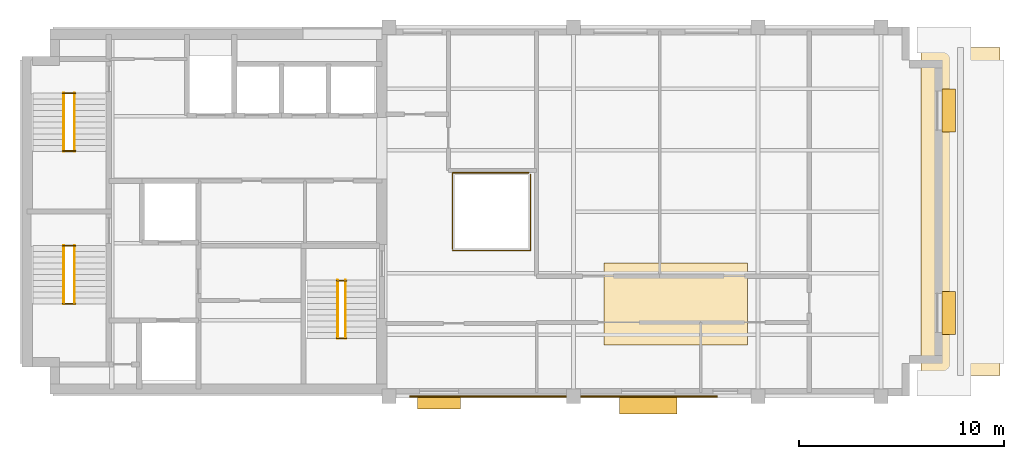
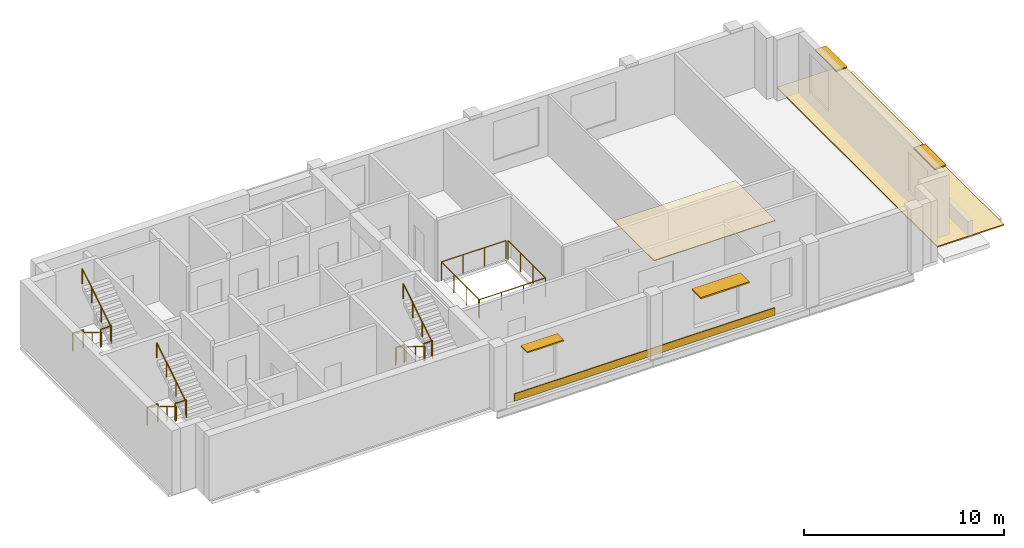
# One storey, part 5 of 5: 14 railings, 4 shading devices, 3 coverings.
"""IFC4 building model written with IfcOpenShell, lengths in metres."""

from ifc_helpers import new_model, si_unit, direction, frame, origin, origin_2d, place, context, subcontext, project, spatial, polyline, rectangle, circle, outline, extrude, material, layer, layer_set, type_object, element, save


model = new_model("IFC4")

# Units and contexts
model_context = context("Model", 3, precision=1e-05, world=origin(), true_north=direction((0.0, 1.0)))
body_context = subcontext(model_context, "Body", "Model", "MODEL_VIEW")
ifc_project = project(units=[si_unit("LENGTHUNIT", "METRE"), si_unit("AREAUNIT", "SQUARE_METRE"), si_unit("VOLUMEUNIT", "CUBIC_METRE"), si_unit("PLANEANGLEUNIT", "RADIAN"), si_unit("MASSUNIT", "GRAM", prefix="KILO")], contexts=[model_context])

# Site, building, storey
site_placement = place(None, origin())
site = spatial("IfcSite", under=ifc_project, at=site_placement, CompositionType="ELEMENT")
building_placement = place(site_placement, origin())
building = spatial("IfcBuilding", under=site, at=building_placement, Name="Mawjdan Bourse Tower", CompositionType="ELEMENT")
storey_placement = place(building_placement, frame((0.0, 0.0, 285.89990234375)))
storey = spatial("IfcBuildingStorey", under=building, at=storey_placement, Name="L70", CompositionType="ELEMENT", Elevation=285.89990234375)

# Coverings
ifc_material_1 = material(Name="Honed Qatari Limestone Coping", Category="masonry")
ifc_layer_1 = layer(ifc_material_1, 0.054931640625)
ifc_layer_set_1 = layer_set([ifc_layer_1], Name="Honed Qatari Limestone Coping")
covering_type_1 = type_object("IfcCoveringType", Name="COV-CLD-SPN", PredefinedType="CLADDING", material=ifc_layer_set_1)
covering_1_placement = place(storey_placement, origin())
element("IfcCovering", 1, at=covering_1_placement, inside=storey, type_object=covering_type_1, Name="L70 Limestone Spandrel Coping Trim", PredefinedType="CLADDING", context=body_context, shape_type="SweptSolid", body=[
    extrude(outline(polyline([(25.0, 2.949951171875), (40.0, 2.949951171875), (40.0, 3.010009765625), (25.0, 3.010009765625), (25.0, 2.949951171875)])), origin(), (0.0, 0.0, 1.0), 0.4501953125),
])
ifc_material_2 = material(Name="Perforated Mineral-Fibre Acoustic Ceiling")
ifc_layer_2 = layer(ifc_material_2, 0.044921875)
ifc_layer_set_2 = layer_set([ifc_layer_2], Name="Perforated Mineral-Fibre Acoustic Ceiling")
covering_type_2 = type_object("IfcCoveringType", Name="COV-CLG-AC", PredefinedType="CEILING", material=ifc_layer_set_2)
covering_2_placement = place(storey_placement, frame((0.0, 0.0, 3.670166015625)))
element("IfcCovering", 2, at=covering_2_placement, inside=storey, type_object=covering_type_2, Name="L70 Suspended Acoustic Ceiling", PredefinedType="CEILING", context=body_context, shape_type="SweptSolid", body=[
    extrude(outline(polyline([(34.5, 5.5), (41.5, 5.5), (41.5, 9.5), (34.5, 9.5), (34.5, 5.5)])), origin(), (0.0, 0.0, 1.0), 0.044921875),
])
ifc_material_3 = material(Name="SBS Modified Bitumen Waterproofing Membrane")
ifc_layer_3 = layer(ifc_material_3, 0.06494140625)
ifc_layer_set_3 = layer_set([ifc_layer_3], Name="SBS Modified Bitumen Waterproofing Membrane")
covering_type_3 = type_object("IfcCoveringType", Name="COV-ROOF-MEM", PredefinedType="ROOFING", material=ifc_layer_set_3)
covering_3_placement = place(storey_placement, origin())
element("IfcCovering", 3, at=covering_3_placement, inside=storey, type_object=covering_type_3, Name="L70 Roof Waterproofing Membrane 5", PredefinedType="ROOFING", context=body_context, shape_type="SweptSolid", body=[
    extrude(outline(polyline([(49.949951171875, 4.0), (53.800048828125, 4.0), (53.800048828125, 20.0), (49.949951171875, 20.0), (49.949951171875, 4.0)])), origin(), (0.0, 0.0, 1.0), 0.065185546875),
])

# Railings
ifc_material_4 = material(Name="Stainless Steel and Laminated Glass", Category="steel")
railing_type_1 = type_object("IfcRailingType", Name="RLG-BAL-1150", PredefinedType="BALUSTRADE", material=ifc_material_4)
railing_1_placement = place(storey_placement, frame((27.10009765625, 10.10009765625, 0.0)))
element("IfcRailing", 4, at=railing_1_placement, inside=storey, type_object=railing_type_1, Name="L70 Summit Atrium Lightwell Balustrade SE", PredefinedType="BALUSTRADE", context=body_context, shape_type="SweptSolid", body=[
    extrude(circle(Radius=0.02685546875, at=origin_2d()), frame((0.0, 0.0, 1.123046875), z_axis=(1.0, 0.0, 0.0), x_axis=(0.0, 1.0, 0.0)), (0.0, 0.0, 1.0), 3.7998046875),
    extrude(circle(Radius=0.02685546875, at=origin_2d()), frame((3.7998046875, 0.0, 1.123046875), z_axis=(0.0, 1.0, 0.0), x_axis=(-1.0, 0.0, 0.0)), (0.0, 0.0, 1.0), 3.719970703125),
    extrude(circle(Radius=0.02294921875, at=origin_2d()), origin(), (0.0, 0.0, 1.0), 1.095947265625),
    extrude(circle(Radius=0.02294921875, at=origin_2d()), frame((1.2666015625, 0.0, 0.0)), (0.0, 0.0, 1.0), 1.095947265625),
    extrude(circle(Radius=0.02294921875, at=origin_2d()), frame((2.533203125, 0.0, 0.0)), (0.0, 0.0, 1.0), 1.095947265625),
    extrude(circle(Radius=0.02294921875, at=origin_2d()), frame((3.7998046875, 0.0, 0.0)), (0.0, 0.0, 1.0), 1.095947265625),
    extrude(circle(Radius=0.02294921875, at=origin_2d()), frame((3.7998046875, 1.239990234375, 0.0)), (0.0, 0.0, 1.0), 1.095947265625),
    extrude(circle(Radius=0.02294921875, at=origin_2d()), frame((3.7998046875, 2.47998046875, 0.0)), (0.0, 0.0, 1.0), 1.095947265625),
    extrude(circle(Radius=0.02294921875, at=origin_2d()), frame((3.7998046875, 3.719970703125, 0.0)), (0.0, 0.0, 1.0), 1.095947265625),
])
railing_2_placement = place(storey_placement, frame((30.820068359375, 13.89990234375, 0.0)))
element("IfcRailing", 5, at=railing_2_placement, inside=storey, type_object=railing_type_1, Name="L70 Summit Atrium Lightwell Balustrade NW", PredefinedType="BALUSTRADE", context=body_context, shape_type="SweptSolid", body=[
    extrude(circle(Radius=0.02685546875, at=origin_2d()), frame((0.0, 0.0, 1.123046875), z_axis=(-1.0, 0.0, 0.0), x_axis=(0.0, -1.0, 0.0)), (0.0, 0.0, 1.0), 3.719970703125),
    extrude(circle(Radius=0.02685546875, at=origin_2d()), frame((-3.719970703125, 0.0, 1.123046875), z_axis=(0.0, -1.0, 0.0), x_axis=(1.0, 0.0, 0.0)), (0.0, 0.0, 1.0), 3.719970703125),
    extrude(circle(Radius=0.02294921875, at=origin_2d()), origin(), (0.0, 0.0, 1.0), 1.095947265625),
    extrude(circle(Radius=0.02294921875, at=origin_2d()), frame((-1.239990234375, 0.0, 0.0)), (0.0, 0.0, 1.0), 1.095947265625),
    extrude(circle(Radius=0.02294921875, at=origin_2d()), frame((-2.47998046875, 0.0, 0.0)), (0.0, 0.0, 1.0), 1.095947265625),
    extrude(circle(Radius=0.02294921875, at=origin_2d()), frame((-3.719970703125, 0.0, 0.0)), (0.0, 0.0, 1.0), 1.095947265625),
    extrude(circle(Radius=0.02294921875, at=origin_2d()), frame((-3.719970703125, -1.239990234375, 0.0)), (0.0, 0.0, 1.0), 1.095947265625),
    extrude(circle(Radius=0.02294921875, at=origin_2d()), frame((-3.719970703125, -2.47998046875, 0.0)), (0.0, 0.0, 1.0), 1.095947265625),
    extrude(circle(Radius=0.02294921875, at=origin_2d()), frame((-3.719970703125, -3.719970703125, 0.0)), (0.0, 0.0, 1.0), 1.095947265625),
])
ifc_material_5 = material(Name="Structural Steel S355", Category="steel")
railing_type_2 = type_object("IfcRailingType", Name="RLG-GRD-1100", PredefinedType="GUARDRAIL", material=ifc_material_5)
for number, where, name in (
    (6, (8.090087890625, 7.52001953125, 1.9501953125), "L70 ST1 Landing Guardrail GL-MID"),
    (7, (8.090087890625, 10.330078125, 0.0), "L70 ST1 Landing Guardrail GL-BOT"),
    (8, (8.090087890625, 14.9599609375, 1.9501953125), "L70 ST2 Landing Guardrail GL-MID"),
    (9, (8.090087890625, 17.77001953125, 0.0), "L70 ST2 Landing Guardrail GL-BOT"),
):
    element("IfcRailing", number, at=place(storey_placement, frame(where)), inside=storey, type_object=railing_type_2, Name=name, PredefinedType="GUARDRAIL", context=body_context, shape_type="SweptSolid", body=[
        extrude(circle(Radius=0.02490234375, at=origin_2d()), frame((0.0, 0.0, 1.0751953125), z_axis=(1.0, 0.0, 0.0), x_axis=(0.0, 1.0, 0.0)), (0.0, 0.0, 1.0), 0.619873046875),
        extrude(circle(Radius=0.02099609375, at=origin_2d()), origin(), (0.0, 0.0, 1.0), 1.050048828125),
        extrude(circle(Radius=0.02099609375, at=origin_2d()), frame((0.619873046875, 0.0, 0.0)), (0.0, 0.0, 1.0), 1.050048828125),
    ])
for number, where, name in (
    (10, (21.43994140625, 5.830078125, 1.9501953125), "L70 ST7 Landing Guardrail GL-MID"),
    (11, (21.43994140625, 8.639892578125, 0.0), "L70 ST7 Landing Guardrail GL-BOT"),
):
    element("IfcRailing", number, at=place(storey_placement, frame(where)), inside=storey, type_object=railing_type_2, Name=name, PredefinedType="GUARDRAIL", context=body_context, shape_type="SweptSolid", body=[
        extrude(circle(Radius=0.02490234375, at=origin_2d()), frame((0.0, 0.0, 1.0751953125), z_axis=(1.0, 0.0, 0.0), x_axis=(0.0, 1.0, 0.0)), (0.0, 0.0, 1.0), 0.489990234375),
        extrude(circle(Radius=0.02099609375, at=origin_2d()), origin(), (0.0, 0.0, 1.0), 1.050048828125),
        extrude(circle(Radius=0.02099609375, at=origin_2d()), frame((0.489990234375, 0.0, 0.0)), (0.0, 0.0, 1.0), 1.050048828125),
    ])
ifc_material_6 = material(Name="Brushed Stainless Steel", Category="steel")
railing_type_3 = type_object("IfcRailingType", Name="RLG-HND-920", PredefinedType="HANDRAIL", material=ifc_material_6)
railing_3_placement = place(storey_placement, frame((8.139892578125, 10.35009765625, 0.177490234375)))
element("IfcRailing", 12, at=railing_3_placement, inside=storey, type_object=railing_type_3, Name="L70 ST1 Flight Handrail HR1", PredefinedType="HANDRAIL", context=body_context, shape_type="SweptSolid", body=[
    extrude(circle(Radius=0.0224609375, at=origin_2d()), frame((0.0, 0.0, 0.8974609375), z_axis=(0.0, -0.849148672731, 0.528153890072), x_axis=(1.0, 0.0, 0.0)), (0.0, 0.0, 1.0), 3.3564453125),
    extrude(circle(Radius=0.01904296875, at=origin_2d()), origin(), (0.0, 0.0, 1.0), 0.875),
    extrude(circle(Radius=0.01904296875, at=origin_2d()), frame((0.0, -0.949951171875, 0.5908203125)), (0.0, 0.0, 1.0), 0.875),
    extrude(circle(Radius=0.01904296875, at=origin_2d()), frame((0.0, -1.900146484375, 1.181884765625)), (0.0, 0.0, 1.0), 0.875),
    extrude(circle(Radius=0.01904296875, at=origin_2d()), frame((0.0, -2.85009765625, 1.772705078125)), (0.0, 0.0, 1.0), 0.875),
])
railing_4_placement = place(storey_placement, frame((8.659912109375, 7.5, 2.12744140625)))
element("IfcRailing", 13, at=railing_4_placement, inside=storey, type_object=railing_type_3, Name="L70 ST1 Flight Handrail HR2", PredefinedType="HANDRAIL", context=body_context, shape_type="SweptSolid", body=[
    extrude(circle(Radius=0.0224609375, at=origin_2d()), frame((0.0, 0.0, 0.8974609375), z_axis=(0.0, 0.849148672731, 0.528153890072), x_axis=(-1.0, 0.0, 0.0)), (0.0, 0.0, 1.0), 3.3564453125),
    extrude(circle(Radius=0.01904296875, at=origin_2d()), origin(), (0.0, 0.0, 1.0), 0.875),
    extrude(circle(Radius=0.01904296875, at=origin_2d()), frame((0.0, 0.949951171875, 0.5908203125)), (0.0, 0.0, 1.0), 0.875),
    extrude(circle(Radius=0.01904296875, at=origin_2d()), frame((0.0, 1.900146484375, 1.181884765625)), (0.0, 0.0, 1.0), 0.875),
    extrude(circle(Radius=0.01904296875, at=origin_2d()), frame((0.0, 2.85009765625, 1.772705078125)), (0.0, 0.0, 1.0), 0.875),
])
railing_5_placement = place(storey_placement, frame((8.139892578125, 17.7900390625, 0.177490234375)))
element("IfcRailing", 14, at=railing_5_placement, inside=storey, type_object=railing_type_3, Name="L70 ST2 Flight Handrail HR1", PredefinedType="HANDRAIL", context=body_context, shape_type="SweptSolid", body=[
    extrude(circle(Radius=0.0224609375, at=origin_2d()), frame((0.0, 0.0, 0.8974609375), z_axis=(0.0, -0.849148672731, 0.528153890072), x_axis=(1.0, 0.0, 0.0)), (0.0, 0.0, 1.0), 3.3564453125),
    extrude(circle(Radius=0.01904296875, at=origin_2d()), origin(), (0.0, 0.0, 1.0), 0.875),
    extrude(circle(Radius=0.01904296875, at=origin_2d()), frame((0.0, -0.949951171875, 0.5908203125)), (0.0, 0.0, 1.0), 0.875),
    extrude(circle(Radius=0.01904296875, at=origin_2d()), frame((0.0, -1.900146484375, 1.181884765625)), (0.0, 0.0, 1.0), 0.875),
    extrude(circle(Radius=0.01904296875, at=origin_2d()), frame((0.0, -2.85009765625, 1.772705078125)), (0.0, 0.0, 1.0), 0.875),
])
railing_6_placement = place(storey_placement, frame((8.659912109375, 14.93994140625, 2.12744140625)))
element("IfcRailing", 15, at=railing_6_placement, inside=storey, type_object=railing_type_3, Name="L70 ST2 Flight Handrail HR2", PredefinedType="HANDRAIL", context=body_context, shape_type="SweptSolid", body=[
    extrude(circle(Radius=0.0224609375, at=origin_2d()), frame((0.0, 0.0, 0.8974609375), z_axis=(0.0, 0.849148672731, 0.528153890072), x_axis=(-1.0, 0.0, 0.0)), (0.0, 0.0, 1.0), 3.3564453125),
    extrude(circle(Radius=0.01904296875, at=origin_2d()), origin(), (0.0, 0.0, 1.0), 0.875),
    extrude(circle(Radius=0.01904296875, at=origin_2d()), frame((0.0, 0.949951171875, 0.5908203125)), (0.0, 0.0, 1.0), 0.875),
    extrude(circle(Radius=0.01904296875, at=origin_2d()), frame((0.0, 1.900146484375, 1.181884765625)), (0.0, 0.0, 1.0), 0.875),
    extrude(circle(Radius=0.01904296875, at=origin_2d()), frame((0.0, 2.85009765625, 1.772705078125)), (0.0, 0.0, 1.0), 0.875),
])
railing_7_placement = place(storey_placement, frame((21.489990234375, 8.659912109375, 0.177490234375)))
element("IfcRailing", 16, at=railing_7_placement, inside=storey, type_object=railing_type_3, Name="L70 ST7 Flight Handrail HR1", PredefinedType="HANDRAIL", context=body_context, shape_type="SweptSolid", body=[
    extrude(circle(Radius=0.0224609375, at=origin_2d()), frame((0.0, 0.0, 0.8974609375), z_axis=(0.0, -0.849128380713, 0.528186513523), x_axis=(1.0, 0.0, 0.0)), (0.0, 0.0, 1.0), 3.356201171875),
    extrude(circle(Radius=0.01904296875, at=origin_2d()), origin(), (0.0, 0.0, 1.0), 0.875),
    extrude(circle(Radius=0.01904296875, at=origin_2d()), frame((0.0, -0.949951171875, 0.5908203125)), (0.0, 0.0, 1.0), 0.875),
    extrude(circle(Radius=0.01904296875, at=origin_2d()), frame((0.0, -1.89990234375, 1.181884765625)), (0.0, 0.0, 1.0), 0.875),
    extrude(circle(Radius=0.01904296875, at=origin_2d()), frame((0.0, -2.849853515625, 1.772705078125)), (0.0, 0.0, 1.0), 0.875),
])
railing_8_placement = place(storey_placement, frame((21.8798828125, 5.81005859375, 2.12744140625)))
element("IfcRailing", 17, at=railing_8_placement, inside=storey, type_object=railing_type_3, Name="L70 ST7 Flight Handrail HR2", PredefinedType="HANDRAIL", context=body_context, shape_type="SweptSolid", body=[
    extrude(circle(Radius=0.0224609375, at=origin_2d()), frame((0.0, 0.0, 0.8974609375), z_axis=(0.0, 0.849128380713, 0.528186513523), x_axis=(-1.0, 0.0, 0.0)), (0.0, 0.0, 1.0), 3.356201171875),
    extrude(circle(Radius=0.01904296875, at=origin_2d()), origin(), (0.0, 0.0, 1.0), 0.875),
    extrude(circle(Radius=0.01904296875, at=origin_2d()), frame((0.0, 0.949951171875, 0.5908203125)), (0.0, 0.0, 1.0), 0.875),
    extrude(circle(Radius=0.01904296875, at=origin_2d()), frame((0.0, 1.89990234375, 1.181884765625)), (0.0, 0.0, 1.0), 0.875),
    extrude(circle(Radius=0.01904296875, at=origin_2d()), frame((0.0, 2.849853515625, 1.772705078125)), (0.0, 0.0, 1.0), 0.875),
])

# Shading devices
ifc_material_7 = material(Name="Bronze Anodised Aluminium", Category="aluminium")
ifc_layer_4 = layer(ifc_material_7, 0.074951171875)
ifc_layer_set_4 = layer_set([ifc_layer_4], Name="Bronze Anodised Aluminium")
shading_device_type_1 = type_object("IfcShadingDeviceType", Name="SHD-SUN-650", PredefinedType="USERDEFINED", material=ifc_layer_set_4)
for number, where, z_axis, x_axis, name in (
    (18, (26.449951171875, 2.695068359375, 3.14990234375), (0.0, 0.0, 1.0), (1.0, 0.0, 0.0), "L70 Solar Window Hood 01"),
    (19, (51.304931640625, 7.066650390625, 3.14990234375), (0.0, 0.0, 1.0), (0.0, 1.0, 0.0), "L70 Solar Window Hood 03"),
    (20, (51.304931640625, 16.933349609375, 3.14990234375), (0.0, 0.0, 1.0), (0.0, 1.0, 0.0), "L70 Solar Window Hood 04"),
):
    element("IfcShadingDevice", number, at=place(storey_placement, frame(where, z_axis=z_axis, x_axis=x_axis)), inside=storey, type_object=shading_device_type_1, Name=name, ObjectType="SUNSHADE", PredefinedType="USERDEFINED", context=body_context, shape_type="SweptSolid", body=[
        extrude(rectangle(XDim=2.10009765625, YDim=0.64990234375, at=origin_2d()), origin(), (0.0, 0.0, 1.0), 0.074951171875),
    ])
ifc_layer_5 = layer(ifc_material_7, 0.0849609375)
ifc_layer_set_5 = layer_set([ifc_layer_5], Name="Bronze Anodised Aluminium")
shading_device_type_2 = type_object("IfcShadingDeviceType", Name="SHD-SUN-900", PredefinedType="USERDEFINED", material=ifc_layer_set_5)
shading_device_placement = place(storey_placement, frame((36.64990234375, 2.570068359375, 3.150146484375), z_axis=(0.0, 0.0, 1.0), x_axis=(1.0, 0.0, 0.0)))
element("IfcShadingDevice", 21, at=shading_device_placement, inside=storey, type_object=shading_device_type_2, Name="L70 Solar Window Hood 02", ObjectType="SUNSHADE", PredefinedType="USERDEFINED", context=body_context, shape_type="SweptSolid", body=[
    extrude(rectangle(XDim=2.800048828125, YDim=0.89990234375, at=origin_2d()), origin(), (0.0, 0.0, 1.0), 0.0849609375),
])

save(model, "model.ifc")
